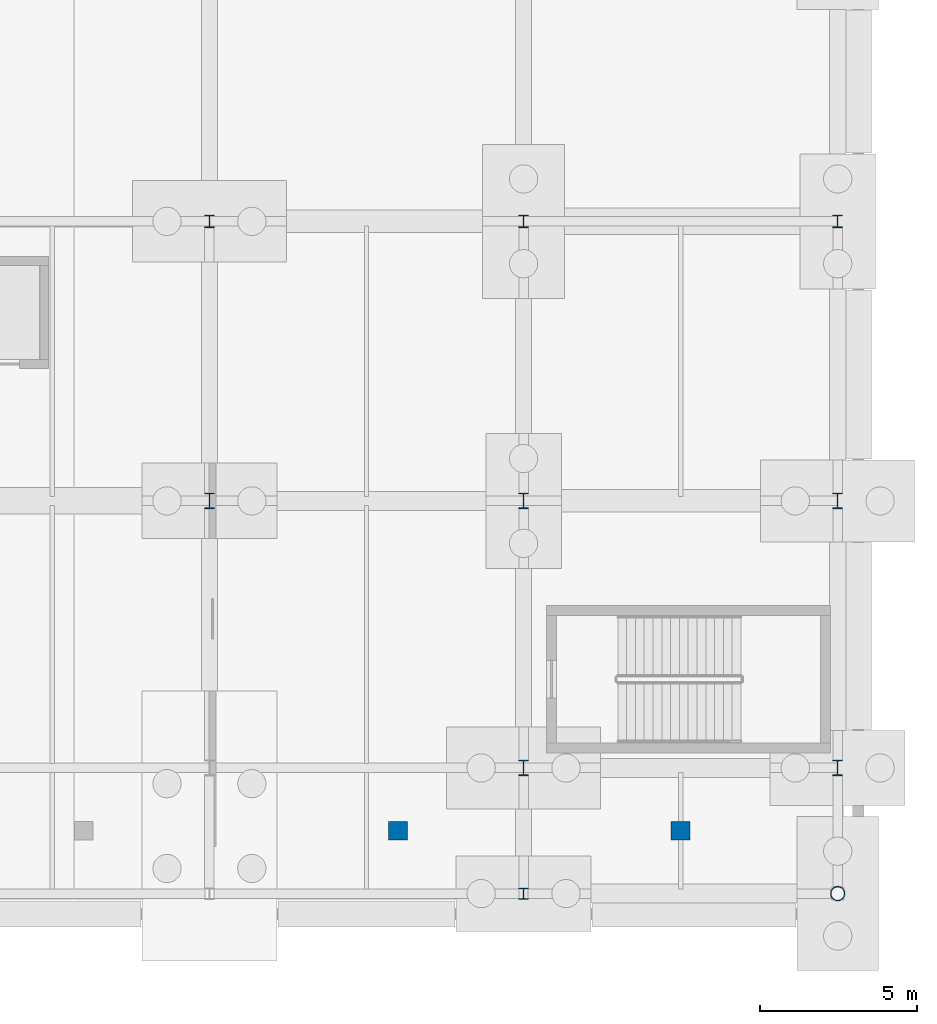
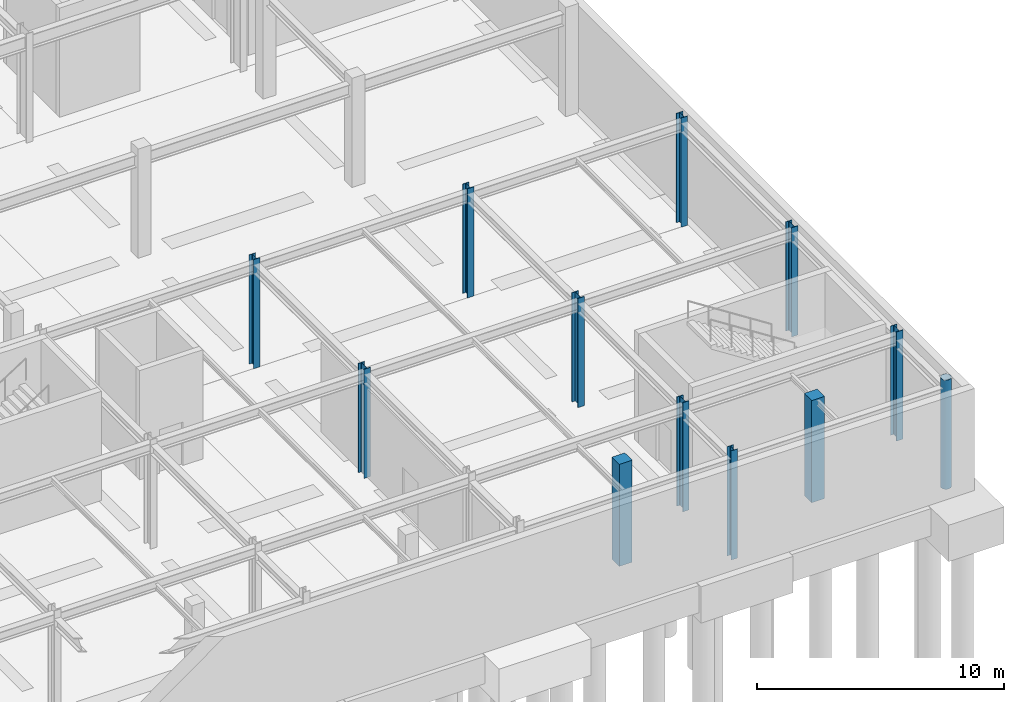
# One storey, part 27 of 65: 12 columns.
"""IFC4 building model written with IfcOpenShell, lengths in metres."""

from ifc_helpers import new_model, si_unit, direction, frame, origin, origin_2d, place, context, subcontext, project, spatial, rectangle, hollow_circle, i_section, extrude, material, material_profile, profile_set, type_object, element, save


model = new_model("IFC4")

# Units and contexts
model_context = context("Model", 3, precision=1e-05, world=origin(), true_north=direction((0.0, 1.0)))
body_context = subcontext(model_context, "Body", "Model", "MODEL_VIEW")
ifc_project = project(units=[si_unit("LENGTHUNIT", "METRE"), si_unit("AREAUNIT", "SQUARE_METRE"), si_unit("VOLUMEUNIT", "CUBIC_METRE"), si_unit("PLANEANGLEUNIT", "RADIAN"), si_unit("MASSUNIT", "GRAM", prefix="KILO")], contexts=[model_context])

# Site, building, storey
site_placement = place(None, origin())
site = spatial("IfcSite", under=ifc_project, at=site_placement, CompositionType="ELEMENT")
building_placement = place(site_placement, origin())
building = spatial("IfcBuilding", under=site, at=building_placement, Name="Kaldris Quays Convention Centre", CompositionType="ELEMENT")
storey_placement = place(building_placement, frame((0.0, 0.0, -5.39990234375)))
storey = spatial("IfcBuildingStorey", under=building, at=storey_placement, Name="B1", CompositionType="ELEMENT", Elevation=-5.39990234375)

# Columns
ifc_material_1 = material(Name="Steel S355J2", Category="steel")
ifc_material_profile_1 = material_profile(ifc_material_1, i_section(OverallWidth=0.300048828125, OverallDepth=0.5, WebThickness=0.014404296875, FlangeThickness=0.028076171875, FilletRadius=0.027099609375, at=origin_2d()), Name="HEB 500")
ifc_profile_set_1 = profile_set([ifc_material_profile_1], Name="Steel S355J2")
column_type_1 = type_object("IfcColumnType", Name="STRUCTURAL COLUMN CL07", PredefinedType="COLUMN", material=ifc_profile_set_1)
for number, where, z_axis, x_axis, name in (
    (1, (184.0, 28.5, 0.0), (0.0, 0.0, 1.0), (1.0, 0.0, 0.0), "B1 V5 Column CL07 (184.00, 28.50)"),
    (2, (194.0, 20.0, 0.0), (0.0, 0.0, 1.0), (1.0, 0.0, 0.0), "B1 V5 Column CL07 (194.00, 20.00)"),
    (3, (194.0, 28.5, 0.0), (0.0, 0.0, 1.0), (1.0, 0.0, 0.0), "B1 V5 Column CL07 (194.00, 28.50)"),
    (4, (204.0, 20.0, 0.0), (0.0, 0.0, 1.0), (1.0, 0.0, 0.0), "B1 V5 Column CL07 (204.00, 20.00)"),
    (5, (204.0, 28.5, 0.0), (0.0, 0.0, 1.0), (1.0, 0.0, 0.0), "B1 V5 Column CL07 (204.00, 28.50)"),
):
    element("IfcColumn", number, at=place(storey_placement, frame(where, z_axis=z_axis, x_axis=x_axis)), inside=storey, type_object=column_type_1, Name=name, PredefinedType="COLUMN", context=body_context, shape_type="SweptSolid", body=[
        extrude(i_section(OverallWidth=0.300048828125, OverallDepth=0.5, WebThickness=0.014404296875, FlangeThickness=0.028076171875, FilletRadius=0.027099609375, at=origin_2d()), origin(), (0.0, 0.0, 1.0), 5.39990234375),
    ])
ifc_material_profile_2 = material_profile(ifc_material_1, i_section(OverallWidth=0.300048828125, OverallDepth=0.39990234375, WebThickness=0.013427734375, FlangeThickness=0.02392578125, FilletRadius=0.027099609375, at=origin_2d()), Name="HEB 400")
ifc_profile_set_2 = profile_set([ifc_material_profile_2], Name="Steel S355J2")
column_type_2 = type_object("IfcColumnType", Name="STRUCTURAL COLUMN CL09", PredefinedType="COLUMN", material=ifc_profile_set_2)
for number, where, z_axis, x_axis, name in (
    (6, (184.0, 37.39990234375, 0.0), (0.0, 0.0, 1.0), (1.0, 0.0, 0.0), "B1 V5 Column CL09 (184.00, 37.40)"),
    (7, (194.0, 37.39990234375, 0.0), (0.0, 0.0, 1.0), (1.0, 0.0, 0.0), "B1 V5 Column CL09 (194.00, 37.40)"),
    (8, (204.0, 37.39990234375, 0.0), (0.0, 0.0, 1.0), (1.0, 0.0, 0.0), "B1 V5 Column CL09 (204.00, 37.40)"),
):
    element("IfcColumn", number, at=place(storey_placement, frame(where, z_axis=z_axis, x_axis=x_axis)), inside=storey, type_object=column_type_2, Name=name, PredefinedType="COLUMN", context=body_context, shape_type="SweptSolid", body=[
        extrude(i_section(OverallWidth=0.300048828125, OverallDepth=0.39990234375, WebThickness=0.013427734375, FlangeThickness=0.02392578125, FilletRadius=0.027099609375, at=origin_2d()), origin(), (0.0, 0.0, 1.0), 5.39990234375),
    ])
ifc_material_2 = material(Name="Concrete C40/50", Category="concrete")
ifc_material_profile_3 = material_profile(ifc_material_2, rectangle(XDim=0.60009765625, YDim=0.60009765625, at=origin_2d()), Name="RC 600x600")
ifc_profile_set_3 = profile_set([ifc_material_profile_3], Name="Concrete C40/50")
column_type_3 = type_object("IfcColumnType", Name="STRUCTURAL COLUMN CL15", PredefinedType="COLUMN", material=ifc_profile_set_3)
for number, where, z_axis, x_axis, name in (
    (9, (190.0, 18.0, 0.0), (0.0, 0.0, 1.0), (1.0, 0.0, 0.0), "B1 Colonnade Post Support Column CL15 4"),
    (10, (199.0, 18.0, 0.0), (0.0, 0.0, 1.0), (1.0, 0.0, 0.0), "B1 Colonnade Post Support Column CL15 5"),
):
    element("IfcColumn", number, at=place(storey_placement, frame(where, z_axis=z_axis, x_axis=x_axis)), inside=storey, type_object=column_type_3, Name=name, PredefinedType="COLUMN", context=body_context, shape_type="SweptSolid", body=[
        extrude(rectangle(XDim=0.60009765625, YDim=0.60009765625, at=origin_2d()), origin(), (0.0, 0.0, 1.0), 5.0498046875),
    ])
ifc_material_3 = material(Name="Steel S355J2H", Category="steel")
ifc_material_profile_4 = material_profile(ifc_material_3, hollow_circle(Radius=0.228515625, WallThickness=0.01611328125, at=origin_2d()), Name="CHS 457x16")
ifc_profile_set_4 = profile_set([ifc_material_profile_4], Name="Steel S355J2H")
column_type_4 = type_object("IfcColumnType", Name="STRUCTURAL COLUMN CL21", PredefinedType="COLUMN", material=ifc_profile_set_4)
column_1_placement = place(storey_placement, frame((204.0, 16.0, 0.0), z_axis=(0.0, 0.0, 1.0), x_axis=(1.0, 0.0, 0.0)))
element("IfcColumn", 11, at=column_1_placement, inside=storey, type_object=column_type_4, Name="B1 V5 Column CL21 (204.00, 16.00)", PredefinedType="COLUMN", context=body_context, shape_type="SweptSolid", body=[
    extrude(hollow_circle(Radius=0.228515625, WallThickness=0.01611328125, at=origin_2d()), origin(), (0.0, 0.0, 1.0), 5.39990234375),
])
ifc_material_profile_5 = material_profile(ifc_material_1, i_section(OverallWidth=0.300048828125, OverallDepth=0.35009765625, WebThickness=0.010009765625, FlangeThickness=0.017578125, FilletRadius=0.027099609375, at=origin_2d()), Name="HEA 360")
ifc_profile_set_5 = profile_set([ifc_material_profile_5], Name="Steel S355J2")
column_type_5 = type_object("IfcColumnType", Name="STRUCTURAL COLUMN PL01C", PredefinedType="PILASTER", material=ifc_profile_set_5)
column_2_placement = place(storey_placement, frame((194.0, 16.0, 0.0), z_axis=(0.0, 0.0, 1.0), x_axis=(1.0, 0.0, 0.0)))
element("IfcColumn", 12, at=column_2_placement, inside=storey, type_object=column_type_5, Name="B1 V5 Column PL01C (194.00, 16.00)", PredefinedType="PILASTER", context=body_context, shape_type="SweptSolid", body=[
    extrude(i_section(OverallWidth=0.300048828125, OverallDepth=0.35009765625, WebThickness=0.010009765625, FlangeThickness=0.017578125, FilletRadius=0.027099609375, at=origin_2d()), origin(), (0.0, 0.0, 1.0), 5.39990234375),
])

save(model, "model.ifc")
